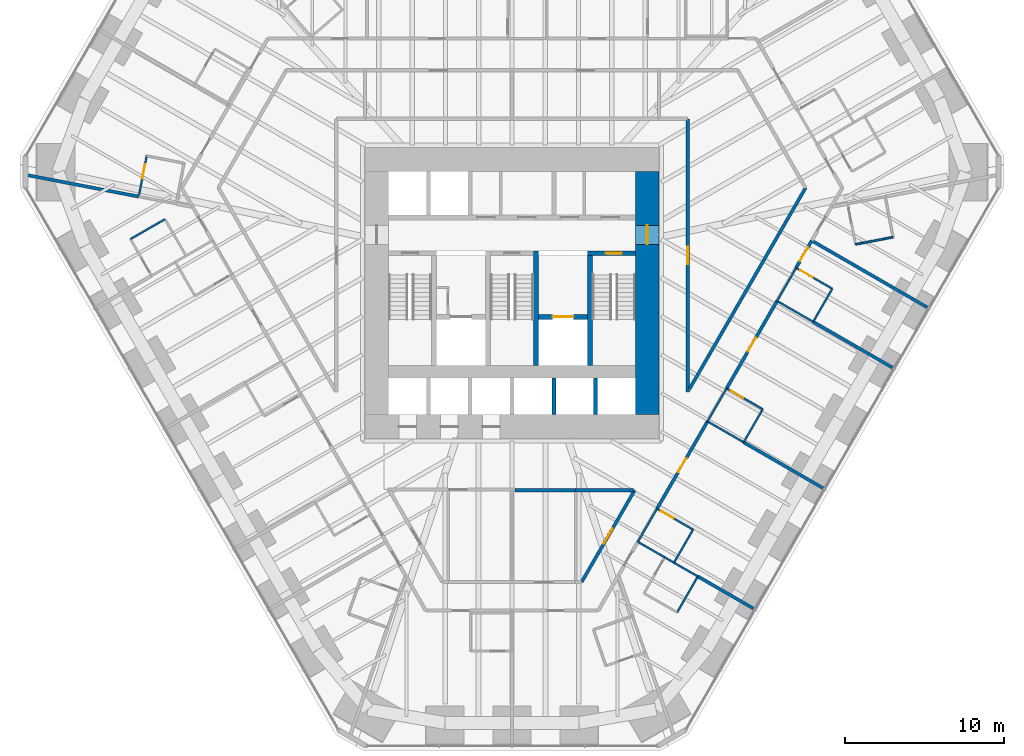
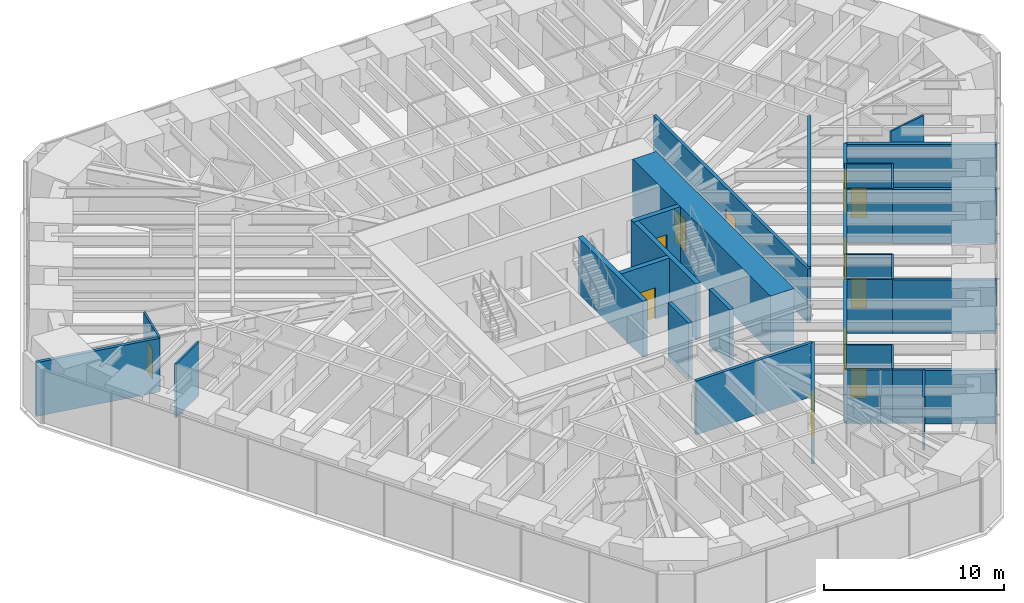
# One storey, part 13 of 17: 38 walls, 12 doors, 12 openings.
"""IFC4 building model written with IfcOpenShell, lengths in metres."""

from ifc_helpers import new_model, si_unit, direction, frame, frame_2d, origin, place, context, subcontext, project, spatial, rectangle, extrude, material, layer, layer_set, type_object, element, fill, save


model = new_model("IFC4")

# Units and contexts
model_context = context("Model", 3, precision=1e-05, world=origin(), true_north=direction((0.0, 1.0)))
body_context = subcontext(model_context, "Body", "Model", "MODEL_VIEW")
ifc_project = project(units=[si_unit("LENGTHUNIT", "METRE"), si_unit("AREAUNIT", "SQUARE_METRE"), si_unit("VOLUMEUNIT", "CUBIC_METRE"), si_unit("PLANEANGLEUNIT", "RADIAN"), si_unit("MASSUNIT", "GRAM", prefix="KILO")], contexts=[model_context])

# Site, building, storey
site_placement = place(None, origin())
site = spatial("IfcSite", under=ifc_project, at=site_placement, CompositionType="ELEMENT")
building_placement = place(site_placement, origin())
building = spatial("IfcBuilding", under=site, at=building_placement, Name="Sandreach Pilgrim Tower", CompositionType="ELEMENT")
storey_placement = place(building_placement, frame((0.0, 0.0, 57.199951171875)))
storey = spatial("IfcBuildingStorey", under=building, at=storey_placement, Name="L13", CompositionType="ELEMENT", Elevation=57.199951171875)

# Wall, opening, door
ifc_material_1 = material(Name="Moisture-resistant gypsum board on steel studs", Category="steel")
ifc_layer_1 = layer(ifc_material_1, 0.1201171875)
ifc_layer_set_1 = layer_set([ifc_layer_1], Name="Bathroom partition 120")
wall_type_1 = type_object("IfcWallType", Name="Bathroom partition 120", PredefinedType="PARTITIONING", material=ifc_layer_set_1)
wall_1_placement = place(storey_placement, frame((-22.9599609375, 7.070068359375, 0.0), z_axis=(0.0, 0.0, 1.0), x_axis=(-0.191686286181, -0.981456248485, 0.0)))
wall_1 = element("IfcWall", 1, at=wall_1_placement, inside=storey, type_object=wall_type_1, Name="Bathroom partition L13-006", PredefinedType="PARTITIONING", context=body_context, shape_type="SweptSolid", body=[
    extrude(rectangle(XDim=2.6083984375, YDim=0.1201171875, at=frame_2d((1.30419921875, 0.0))), origin(), (0.0, 0.0, 1.0), 3.64013671875),
])
opening_1_placement = place(wall_1_placement, frame((0.550048828125, 0.0, 0.0)))
opening_1 = element("IfcOpeningElement", 2, at=opening_1_placement, cuts=wall_1, Name="Opening D09-19B", PredefinedType="OPENING", context=body_context, shape_type="SweptSolid", body=[
    extrude(rectangle(XDim=0.89990234375, YDim=2.030029296875, at=frame_2d((0.449951171875, 1.01513671875))), frame((0.0, 0.06005859375, 0.0), z_axis=(0.0, -1.0, 0.0), x_axis=(1.0, 0.0, 0.0)), (0.0, 0.0, 1.0), 0.1201171875),
])
ifc_material_2 = material(Name="Timber door, steel frame", Category="steel")
door_type_1 = type_object("IfcDoorType", Name="Bathroom door", OperationType="SINGLE_SWING_LEFT", PredefinedType="DOOR", material=ifc_material_2)
door_1_placement = place(opening_1_placement, origin())
door_1 = element("IfcDoor", 3, at=door_1_placement, inside=storey, type_object=door_type_1, Name="Door 1319B", OperationType="SINGLE_SWING_LEFT", OverallHeight=2.030029296875, OverallWidth=0.89990234375, PredefinedType="DOOR", context=body_context, shape_type="SweptSolid", body=[
    extrude(rectangle(XDim=0.89990234375, YDim=2.030029296875, at=frame_2d((0.449951171875, 1.01513671875))), frame((0.0, 0.02490234375, 0.0), z_axis=(0.0, -1.0, 0.0), x_axis=(1.0, 0.0, 0.0)), (0.0, 0.0, 1.0), 0.050048828125),
])
fill(opening_1, door_1)

# Walls
wall_2_placement = place(storey_placement, frame((-21.81005859375, 3.090087890625, 0.0), z_axis=(0.0, 0.0, 1.0), x_axis=(-0.866510016372, -0.499159685399, 0.0)))
element("IfcWall", 4, at=wall_2_placement, inside=storey, type_object=wall_type_1, Name="Bathroom partition L13-008", PredefinedType="PARTITIONING", context=body_context, shape_type="SweptSolid", body=[
    extrude(rectangle(XDim=2.504150390625, YDim=0.1201171875, at=frame_2d((1.251953125, 0.0))), origin(), (0.0, 0.0, 1.0), 3.64013671875),
])
wall_3_placement = place(storey_placement, frame((7.909912109375, -17.18994140625, 0.0), z_axis=(0.0, 0.0, 1.0), x_axis=(0.499737123639, 0.866177122335, 0.0)))
element("IfcWall", 5, at=wall_3_placement, inside=storey, type_object=wall_type_1, Name="Bathroom partition L13-100", PredefinedType="PARTITIONING", context=body_context, shape_type="SweptSolid", body=[
    extrude(rectangle(XDim=2.401123046875, YDim=0.1201171875, at=frame_2d((1.20068359375, 0.0))), origin(), (0.0, 0.0, 1.0), 3.64013671875),
])
wall_4_placement = place(storey_placement, frame((7.909912109375, -17.18994140625, 0.0), z_axis=(0.0, 0.0, 1.0), x_axis=(0.8673242112, -0.497743621421, 0.0)))
element("IfcWall", 6, at=wall_4_placement, inside=storey, type_object=wall_type_1, Name="Bathroom partition L13-101", PredefinedType="PARTITIONING", context=body_context, shape_type="SweptSolid", body=[
    extrude(rectangle(XDim=1.94873046875, YDim=0.1201171875, at=frame_2d((0.974365234375, 0.0))), origin(), (0.0, 0.0, 1.0), 3.64013671875),
])
wall_5_placement = place(storey_placement, frame((9.60009765625, -18.159912109375, 0.0), z_axis=(0.0, 0.0, 1.0), x_axis=(0.862577739272, -0.505924543497, 0.0)))
element("IfcWall", 7, at=wall_5_placement, inside=storey, type_object=wall_type_1, Name="Bathroom partition L13-111", PredefinedType="PARTITIONING", context=body_context, shape_type="SweptSolid", body=[
    extrude(rectangle(XDim=0.672119140625, YDim=0.1201171875, at=frame_2d((0.3359375, 0.0))), origin(), (0.0, 0.0, 1.0), 3.64013671875),
])
wall_6_placement = place(storey_placement, frame((10.179931640625, -18.5, 0.0), z_axis=(0.0, 0.0, 1.0), x_axis=(0.499693115345, 0.866202511239, 0.0)))
element("IfcWall", 8, at=wall_6_placement, inside=storey, type_object=wall_type_1, Name="Bathroom partition L13-112", PredefinedType="PARTITIONING", context=body_context, shape_type="SweptSolid", body=[
    extrude(rectangle(XDim=2.4013671875, YDim=0.1201171875, at=frame_2d((1.20068359375, 0.0))), origin(), (0.0, 0.0, 1.0), 3.64013671875),
])
wall_7_placement = place(storey_placement, frame((10.179931640625, -18.5, 0.0), z_axis=(0.0, 0.0, 1.0), x_axis=(0.867564547129, -0.497324598794, 0.0)))
element("IfcWall", 9, at=wall_7_placement, inside=storey, type_object=wall_type_1, Name="Bathroom partition L13-113", PredefinedType="PARTITIONING", context=body_context, shape_type="SweptSolid", body=[
    extrude(rectangle(XDim=1.72900390625, YDim=0.1201171875, at=frame_2d((0.864501953125, 0.0))), origin(), (0.0, 0.0, 1.0), 3.64013671875),
])
wall_8_placement = place(storey_placement, frame((10.3798828125, -21.6201171875, 0.0), z_axis=(0.0, 0.0, 1.0), x_axis=(0.498627694264, 0.866816256489, 0.0)))
element("IfcWall", 10, at=wall_8_placement, inside=storey, type_object=wall_type_1, Name="Bathroom partition L13-114", PredefinedType="PARTITIONING", context=body_context, shape_type="SweptSolid", body=[
    extrude(rectangle(XDim=2.607177734375, YDim=0.1201171875, at=frame_2d((1.3037109375, 0.0))), origin(), (0.0, 0.0, 1.0), 3.64013671875),
])

# Wall, opening, door
wall_9_placement = place(storey_placement, frame((11.3798828125, -16.419921875, 0.0), z_axis=(0.0, 0.0, 1.0), x_axis=(-0.866154567199, 0.49977621564, 0.0)))
wall_9 = element("IfcWall", 11, at=wall_9_placement, inside=storey, type_object=wall_type_1, Name="Bathroom partition L13-123", PredefinedType="PARTITIONING", context=body_context, shape_type="SweptSolid", body=[
    extrude(rectangle(XDim=2.620849609375, YDim=0.1201171875, at=frame_2d((1.310546875, 0.0))), origin(), (0.0, 0.0, 1.0), 3.64013671875),
])
opening_2_placement = place(wall_9_placement, frame((1.4208984375, 0.0, 0.0)))
opening_2 = element("IfcOpeningElement", 12, at=opening_2_placement, cuts=wall_9, Name="Opening D09-10B", PredefinedType="OPENING", context=body_context, shape_type="SweptSolid", body=[
    extrude(rectangle(XDim=0.89990234375, YDim=2.030029296875, at=frame_2d((0.449951171875, 1.01513671875))), frame((0.0, 0.06005859375, 0.0), z_axis=(0.0, -1.0, 0.0), x_axis=(1.0, 0.0, 0.0)), (0.0, 0.0, 1.0), 0.1201171875),
])
door_2_placement = place(opening_2_placement, origin())
door_2 = element("IfcDoor", 13, at=door_2_placement, inside=storey, type_object=door_type_1, Name="Door 1310B", OperationType="SINGLE_SWING_RIGHT", OverallHeight=2.030029296875, OverallWidth=0.89990234375, PredefinedType="DOOR", context=body_context, shape_type="SweptSolid", body=[
    extrude(rectangle(XDim=0.89990234375, YDim=2.030029296875, at=frame_2d((0.449951171875, 1.01513671875))), frame((0.0, 0.02490234375, 0.0), z_axis=(0.0, -1.0, 0.0), x_axis=(1.0, 0.0, 0.0)), (0.0, 0.0, 1.0), 0.050048828125),
])
fill(opening_2, door_2)

# Walls
wall_10_placement = place(storey_placement, frame((12.2900390625, -9.6201171875, 0.0), z_axis=(0.0, 0.0, 1.0), x_axis=(0.499693115345, 0.866202511239, 0.0)))
element("IfcWall", 14, at=wall_10_placement, inside=storey, type_object=wall_type_1, Name="Bathroom partition L13-125", PredefinedType="PARTITIONING", context=body_context, shape_type="SweptSolid", body=[
    extrude(rectangle(XDim=2.4013671875, YDim=0.1201171875, at=frame_2d((1.20068359375, 0.0))), origin(), (0.0, 0.0, 1.0), 3.64013671875),
])
wall_11_placement = place(storey_placement, frame((12.2900390625, -9.6201171875, 0.0), z_axis=(0.0, 0.0, 1.0), x_axis=(0.865987003449, -0.500066505434, 0.0)))
element("IfcWall", 15, at=wall_11_placement, inside=storey, type_object=wall_type_1, Name="Bathroom partition L13-126", PredefinedType="PARTITIONING", context=body_context, shape_type="SweptSolid", body=[
    extrude(rectangle(XDim=2.620849609375, YDim=0.1201171875, at=frame_2d((1.310546875, 0.0))), origin(), (0.0, 0.0, 1.0), 3.64013671875),
])
wall_12_placement = place(storey_placement, frame((14.56005859375, -10.929931640625, 0.0), z_axis=(0.0, 0.0, 1.0), x_axis=(0.499737123639, 0.866177122335, 0.0)))
element("IfcWall", 16, at=wall_12_placement, inside=storey, type_object=wall_type_1, Name="Bathroom partition L13-132", PredefinedType="PARTITIONING", context=body_context, shape_type="SweptSolid", body=[
    extrude(rectangle(XDim=2.401123046875, YDim=0.1201171875, at=frame_2d((1.20068359375, 0.0))), origin(), (0.0, 0.0, 1.0), 3.64013671875),
])

# Wall, opening, door
wall_13_placement = place(storey_placement, frame((15.760009765625, -8.85009765625, 0.0), z_axis=(0.0, 0.0, 1.0), x_axis=(-0.866114241029, 0.499846097802, 0.0)))
wall_13 = element("IfcWall", 17, at=wall_13_placement, inside=storey, type_object=wall_type_1, Name="Bathroom partition L13-136", PredefinedType="PARTITIONING", context=body_context, shape_type="SweptSolid", body=[
    extrude(rectangle(XDim=2.620849609375, YDim=0.1201171875, at=frame_2d((1.310546875, 0.0))), origin(), (0.0, 0.0, 1.0), 3.64013671875),
])
opening_3_placement = place(wall_13_placement, frame((1.4208984375, 0.0, 0.0)))
opening_3 = element("IfcOpeningElement", 18, at=opening_3_placement, cuts=wall_13, Name="Opening D09-09B", PredefinedType="OPENING", context=body_context, shape_type="SweptSolid", body=[
    extrude(rectangle(XDim=0.89990234375, YDim=2.030029296875, at=frame_2d((0.449951171875, 1.01513671875))), frame((0.0, 0.06005859375, 0.0), z_axis=(0.0, -1.0, 0.0), x_axis=(1.0, 0.0, 0.0)), (0.0, 0.0, 1.0), 0.1201171875),
])
door_3_placement = place(opening_3_placement, origin())
door_3 = element("IfcDoor", 19, at=door_3_placement, inside=storey, type_object=door_type_1, Name="Door 1309B", OperationType="SINGLE_SWING_RIGHT", OverallHeight=2.030029296875, OverallWidth=0.89990234375, PredefinedType="DOOR", context=body_context, shape_type="SweptSolid", body=[
    extrude(rectangle(XDim=0.89990234375, YDim=2.030029296875, at=frame_2d((0.449951171875, 1.01513671875))), frame((0.0, 0.02490234375, 0.0), z_axis=(0.0, -1.0, 0.0), x_axis=(1.0, 0.0, 0.0)), (0.0, 0.0, 1.0), 0.050048828125),
])
fill(opening_3, door_3)

# Walls
wall_14_placement = place(storey_placement, frame((16.659912109375, -2.050048828125, 0.0), z_axis=(0.0, 0.0, 1.0), x_axis=(0.499693115345, 0.866202511239, 0.0)))
element("IfcWall", 20, at=wall_14_placement, inside=storey, type_object=wall_type_1, Name="Bathroom partition L13-137", PredefinedType="PARTITIONING", context=body_context, shape_type="SweptSolid", body=[
    extrude(rectangle(XDim=2.4013671875, YDim=0.1201171875, at=frame_2d((1.20068359375, 0.0))), origin(), (0.0, 0.0, 1.0), 3.64013671875),
])
wall_15_placement = place(storey_placement, frame((16.659912109375, -2.050048828125, 0.0), z_axis=(0.0, 0.0, 1.0), x_axis=(0.866010296064, -0.500026166427, 0.0)))
element("IfcWall", 21, at=wall_15_placement, inside=storey, type_object=wall_type_1, Name="Bathroom partition L13-138", PredefinedType="PARTITIONING", context=body_context, shape_type="SweptSolid", body=[
    extrude(rectangle(XDim=2.620849609375, YDim=0.1201171875, at=frame_2d((1.310546875, 0.0))), origin(), (0.0, 0.0, 1.0), 3.64013671875),
])
wall_16_placement = place(storey_placement, frame((18.929931640625, -3.360107421875, 0.0), z_axis=(0.0, 0.0, 1.0), x_axis=(0.499693115345, 0.866202511239, 0.0)))
element("IfcWall", 22, at=wall_16_placement, inside=storey, type_object=wall_type_1, Name="Bathroom partition L13-144", PredefinedType="PARTITIONING", context=body_context, shape_type="SweptSolid", body=[
    extrude(rectangle(XDim=2.4013671875, YDim=0.1201171875, at=frame_2d((1.20068359375, 0.0))), origin(), (0.0, 0.0, 1.0), 3.64013671875),
])

# Wall, opening, door
wall_17_placement = place(storey_placement, frame((20.1298828125, -1.280029296875, 0.0), z_axis=(0.0, 0.0, 1.0), x_axis=(-0.866114241029, 0.499846097802, 0.0)))
wall_17 = element("IfcWall", 23, at=wall_17_placement, inside=storey, type_object=wall_type_1, Name="Bathroom partition L13-150", PredefinedType="PARTITIONING", context=body_context, shape_type="SweptSolid", body=[
    extrude(rectangle(XDim=2.620849609375, YDim=0.1201171875, at=frame_2d((1.310546875, 0.0))), origin(), (0.0, 0.0, 1.0), 3.64013671875),
])
opening_4_placement = place(wall_17_placement, frame((1.4208984375, 0.0, 0.0)))
opening_4 = element("IfcOpeningElement", 24, at=opening_4_placement, cuts=wall_17, Name="Opening D09-08B", PredefinedType="OPENING", context=body_context, shape_type="SweptSolid", body=[
    extrude(rectangle(XDim=0.89990234375, YDim=2.030029296875, at=frame_2d((0.449951171875, 1.01513671875))), frame((0.0, 0.06005859375, 0.0), z_axis=(0.0, -1.0, 0.0), x_axis=(1.0, 0.0, 0.0)), (0.0, 0.0, 1.0), 0.1201171875),
])
door_4_placement = place(opening_4_placement, origin())
door_4 = element("IfcDoor", 25, at=door_4_placement, inside=storey, type_object=door_type_1, Name="Door 1308B", OperationType="SINGLE_SWING_RIGHT", OverallHeight=2.030029296875, OverallWidth=0.89990234375, PredefinedType="DOOR", context=body_context, shape_type="SweptSolid", body=[
    extrude(rectangle(XDim=0.89990234375, YDim=2.030029296875, at=frame_2d((0.449951171875, 1.01513671875))), frame((0.0, 0.02490234375, 0.0), z_axis=(0.0, -1.0, 0.0), x_axis=(1.0, 0.0, 0.0)), (0.0, 0.0, 1.0), 0.050048828125),
])
fill(opening_4, door_4)

# Walls
wall_18_placement = place(storey_placement, frame((21.590087890625, 1.510009765625, 0.0), z_axis=(0.0, 0.0, 1.0), x_axis=(0.982303859288, 0.187294228499, 0.0)))
element("IfcWall", 26, at=wall_18_placement, inside=storey, type_object=wall_type_1, Name="Bathroom partition L13-158", PredefinedType="PARTITIONING", context=body_context, shape_type="SweptSolid", body=[
    extrude(rectangle(XDim=2.40234375, YDim=0.1201171875, at=frame_2d((1.201171875, 0.0))), origin(), (0.0, 0.0, 1.0), 3.64013671875),
])
ifc_material_3 = material(Name="Concrete 10000 psi", Category="concrete")
ifc_layer_2 = layer(ifc_material_3, 0.300048828125)
ifc_layer_set_2 = layer_set([ifc_layer_2], Name="Core inner wall 300")
wall_type_2 = type_object("IfcWallType", Name="Core inner wall 300", PredefinedType="SHEAR", material=ifc_layer_set_2)
for number, where, z_axis, x_axis, name in (
    (27, (1.5, -6.10009765625, 0.0), (0.0, 0.0, 1.0), (0.0, 1.0, 0.0), "Core wall I2 L13"),
    (28, (4.89990234375, -6.10009765625, 0.0), (0.0, 0.0, 1.0), (0.0, 1.0, 0.0), "Core wall I3 L13"),
):
    element("IfcWall", number, at=place(storey_placement, frame(where, z_axis=z_axis, x_axis=x_axis)), inside=storey, type_object=wall_type_2, Name=name, PredefinedType="SHEAR", context=body_context, shape_type="SweptSolid", body=[
        extrude(rectangle(XDim=7.2001953125, YDim=0.300048828125, at=frame_2d((3.60009765625, 0.0))), origin(), (0.0, 0.0, 1.0), 3.800048828125),
    ])

# Wall, opening, door
wall_19_placement = place(storey_placement, frame((4.75, 0.949951171875, 0.0), z_axis=(0.0, 0.0, 1.0), x_axis=(1.0, 0.0, 0.0)))
wall_19 = element("IfcWall", 29, at=wall_19_placement, inside=storey, type_object=wall_type_2, Name="Core wall SN2 L13", PredefinedType="SHEAR", context=body_context, shape_type="SweptSolid", body=[
    extrude(rectangle(XDim=3.0, YDim=0.300048828125, at=frame_2d((1.5, 0.0))), origin(), (0.0, 0.0, 1.0), 3.800048828125),
])
opening_5_placement = place(wall_19_placement, frame((1.14990234375, 0.0, 0.0)))
opening_5 = element("IfcOpeningElement", 30, at=opening_5_placement, cuts=wall_19, Name="Opening D10S-ST2", PredefinedType="OPENING", context=body_context, shape_type="SweptSolid", body=[
    extrude(rectangle(XDim=1.0, YDim=2.199951171875, at=frame_2d((0.5, 1.10009765625))), frame((0.0, 0.14990234375, 0.0), z_axis=(0.0, -1.0, 0.0), x_axis=(1.0, 0.0, 0.0)), (0.0, 0.0, 1.0), 0.300048828125),
])
ifc_material_4 = material(Name="Steel door and frame", Category="steel")
door_type_2 = type_object("IfcDoorType", Name="Stair door", OperationType="SINGLE_SWING_LEFT", PredefinedType="DOOR", material=ifc_material_4)
door_5_placement = place(opening_5_placement, origin())
door_5 = element("IfcDoor", 31, at=door_5_placement, inside=storey, type_object=door_type_2, Name="Stair door ST2 L13", OperationType="SINGLE_SWING_RIGHT", OverallHeight=2.199951171875, OverallWidth=1.0, PredefinedType="DOOR", context=body_context, shape_type="SweptSolid", body=[
    extrude(rectangle(XDim=1.0, YDim=2.199951171875, at=frame_2d((0.5, 1.10009765625))), frame((0.0, 0.02490234375, 0.0), z_axis=(0.0, -1.0, 0.0), x_axis=(1.0, 0.0, 0.0)), (0.0, 0.0, 1.0), 0.050048828125),
])
fill(opening_5, door_5)

wall_20_placement = place(storey_placement, frame((1.64990234375, -3.050048828125, 0.0), z_axis=(0.0, 0.0, 1.0), x_axis=(1.0, 0.0, 0.0)))
wall_20 = element("IfcWall", 32, at=wall_20_placement, inside=storey, type_object=wall_type_2, Name="Core wall FL2 L13", PredefinedType="SHEAR", context=body_context, shape_type="SweptSolid", body=[
    extrude(rectangle(XDim=3.10009765625, YDim=0.300048828125, at=frame_2d((1.550048828125, 0.0))), origin(), (0.0, 0.0, 1.0), 3.800048828125),
])
opening_6_placement = place(wall_20_placement, frame((0.89990234375, 0.0, 0.0)))
opening_6 = element("IfcOpeningElement", 33, at=opening_6_placement, cuts=wall_20, Name="Opening LD13", PredefinedType="OPENING", context=body_context, shape_type="SweptSolid", body=[
    extrude(rectangle(XDim=1.300048828125, YDim=2.10009765625, at=frame_2d((0.64990234375, 1.050048828125))), frame((0.0, 0.14990234375, 0.0), z_axis=(0.0, -1.0, 0.0), x_axis=(1.0, 0.0, 0.0)), (0.0, 0.0, 1.0), 0.300048828125),
])
ifc_material_5 = material(Name="Steel door and frame", Category="steel")
door_type_3 = type_object("IfcDoorType", Name="Fire service lift landing door", OperationType="DOUBLE_DOOR_SLIDING", PredefinedType="DOOR", material=ifc_material_5)
door_6_placement = place(opening_6_placement, origin())
door_6 = element("IfcDoor", 34, at=door_6_placement, inside=storey, type_object=door_type_3, Name="Lift landing door FS2 L13", OperationType="DOUBLE_DOOR_SLIDING", OverallHeight=2.10009765625, OverallWidth=1.300048828125, PredefinedType="DOOR", context=body_context, shape_type="SweptSolid", body=[
    extrude(rectangle(XDim=1.300048828125, YDim=2.10009765625, at=frame_2d((0.64990234375, 1.050048828125))), frame((0.0, 0.02490234375, 0.0), z_axis=(0.0, -1.0, 0.0), x_axis=(1.0, 0.0, 0.0)), (0.0, 0.0, 1.0), 0.050048828125),
])
fill(opening_6, door_6)

ifc_material_6 = material(Name="Concrete 10000 psi", Category="concrete")
ifc_layer_3 = layer(ifc_material_6, 1.5)
ifc_layer_set_3 = layer_set([ifc_layer_3], Name="Core wall 1500")
wall_type_3 = type_object("IfcWallType", Name="Core wall 1500", PredefinedType="SHEAR", material=ifc_layer_set_3)
wall_21_placement = place(storey_placement, frame((8.5, -9.199951171875, 0.0), z_axis=(0.0, 0.0, 1.0), x_axis=(0.0, 1.0, 0.0)))
wall_21 = element("IfcWall", 35, at=wall_21_placement, inside=storey, type_object=wall_type_3, Name="Core wall E L13", PredefinedType="SHEAR", context=body_context, shape_type="SweptSolid", body=[
    extrude(rectangle(XDim=15.300048828125, YDim=1.5, at=frame_2d((7.64990234375, 0.0))), origin(), (0.0, 0.0, 1.0), 3.800048828125),
])
opening_7_placement = place(wall_21_placement, frame((10.699951171875, 0.0, 0.0)))
opening_7 = element("IfcOpeningElement", 36, at=opening_7_placement, cuts=wall_21, Name="Opening D12F-E", PredefinedType="OPENING", context=body_context, shape_type="SweptSolid", body=[
    extrude(rectangle(XDim=1.199951171875, YDim=2.199951171875, at=frame_2d((0.60009765625, 1.10009765625))), frame((0.0, 0.75, 0.0), z_axis=(0.0, -1.0, 0.0), x_axis=(1.0, 0.0, 0.0)), (0.0, 0.0, 1.0), 1.5),
])
ifc_material_7 = material(Name="Steel door and frame", Category="steel")
door_type_4 = type_object("IfcDoorType", Name="Fire lobby door", OperationType="SINGLE_SWING_LEFT", PredefinedType="DOOR", material=ifc_material_7)
door_7_placement = place(opening_7_placement, origin())
door_7 = element("IfcDoor", 37, at=door_7_placement, inside=storey, type_object=door_type_4, Name="Fire service lobby door E L13", OperationType="SINGLE_SWING_RIGHT", OverallHeight=2.199951171875, OverallWidth=1.199951171875, PredefinedType="DOOR", context=body_context, shape_type="SweptSolid", body=[
    extrude(rectangle(XDim=1.199951171875, YDim=2.199951171875, at=frame_2d((0.60009765625, 1.10009765625))), frame((0.0, 0.02490234375, 0.0), z_axis=(0.0, -1.0, 0.0), x_axis=(1.0, 0.0, 0.0)), (0.0, 0.0, 1.0), 0.050048828125),
])
fill(opening_7, door_7)

# Walls
ifc_material_8 = material(Name="Gypsum board on steel studs, two layers each side", Category="steel")
ifc_layer_4 = layer(ifc_material_8, 0.199951171875)
ifc_layer_set_4 = layer_set([ifc_layer_4], Name="Corridor wall 200")
wall_type_4 = type_object("IfcWallType", Name="Corridor wall 200", PredefinedType="PARTITIONING", material=ifc_layer_set_4)
wall_22_placement = place(storey_placement, frame((0.179931640625, -13.949951171875, 0.0), z_axis=(0.0, 0.0, 1.0), x_axis=(1.0, 0.0, 0.0)))
element("IfcWall", 38, at=wall_22_placement, inside=storey, type_object=wall_type_4, Name="Corridor wall L13-082", PredefinedType="PARTITIONING", context=body_context, shape_type="SweptSolid", body=[
    extrude(rectangle(XDim=3.820068359375, YDim=0.199951171875, at=frame_2d((1.91015625, 0.0))), origin(), (0.0, 0.0, 1.0), 3.64013671875),
])
wall_23_placement = place(storey_placement, frame((4.0, -13.949951171875, 0.0), z_axis=(0.0, 0.0, 1.0), x_axis=(1.0, 0.0, 0.0)))
element("IfcWall", 39, at=wall_23_placement, inside=storey, type_object=wall_type_4, Name="Corridor wall L13-090", PredefinedType="PARTITIONING", context=body_context, shape_type="SweptSolid", body=[
    extrude(rectangle(XDim=3.635009765625, YDim=0.199951171875, at=frame_2d((1.8173828125, 0.0))), origin(), (0.0, 0.0, 1.0), 3.64013671875),
])

# Wall, opening, door
wall_24_placement = place(storey_placement, frame((7.7099609375, -13.949951171875, 0.0), z_axis=(0.0, 0.0, 1.0), x_axis=(-0.500511113963, -0.865730110831, 0.0)))
wall_24 = element("IfcWall", 40, at=wall_24_placement, inside=storey, type_object=wall_type_4, Name="Corridor wall L13-099", PredefinedType="PARTITIONING", context=body_context, shape_type="SweptSolid", body=[
    extrude(rectangle(XDim=6.6533203125, YDim=0.199951171875, at=frame_2d((3.32666015625, 0.0))), origin(), (0.0, 0.0, 1.0), 3.64013671875),
])
opening_8_placement = place(wall_24_placement, frame((2.776611328125, 0.0, 0.0)))
opening_8 = element("IfcOpeningElement", 41, at=opening_8_placement, cuts=wall_24, Name="Opening D11H-S4", PredefinedType="OPENING", context=body_context, shape_type="SweptSolid", body=[
    extrude(rectangle(XDim=1.10009765625, YDim=2.199951171875, at=frame_2d((0.550048828125, 1.10009765625))), frame((0.0, 0.10009765625, 0.0), z_axis=(0.0, -1.0, 0.0), x_axis=(1.0, 0.0, 0.0)), (0.0, 0.0, 1.0), 0.199951171875),
])
ifc_material_9 = material(Name="Steel door and frame", Category="steel")
door_type_5 = type_object("IfcDoorType", Name="Back of house door", OperationType="SINGLE_SWING_LEFT", PredefinedType="DOOR", material=ifc_material_9)
door_8_placement = place(opening_8_placement, origin())
door_8 = element("IfcDoor", 42, at=door_8_placement, inside=storey, type_object=door_type_5, Name="Door 13S4", OperationType="SINGLE_SWING_LEFT", OverallHeight=2.199951171875, OverallWidth=1.10009765625, PredefinedType="DOOR", context=body_context, shape_type="SweptSolid", body=[
    extrude(rectangle(XDim=1.10009765625, YDim=2.199951171875, at=frame_2d((0.550048828125, 1.10009765625))), frame((0.0, 0.02490234375, 0.0), z_axis=(0.0, -1.0, 0.0), x_axis=(1.0, 0.0, 0.0)), (0.0, 0.0, 1.0), 0.050048828125),
])
fill(opening_8, door_8)

wall_25_placement = place(storey_placement, frame((9.110107421875, -15.110107421875, 0.0), z_axis=(0.0, 0.0, 1.0), x_axis=(0.50119856319, 0.865332306259, 0.0)))
wall_25 = element("IfcWall", 43, at=wall_25_placement, inside=storey, type_object=wall_type_4, Name="Corridor wall L13-106", PredefinedType="PARTITIONING", context=body_context, shape_type="SweptSolid", body=[
    extrude(rectangle(XDim=6.3447265625, YDim=0.199951171875, at=frame_2d((3.17236328125, 0.0))), origin(), (0.0, 0.0, 1.0), 3.64013671875),
])
opening_9_placement = place(wall_25_placement, frame((2.67236328125, 0.0, 0.0)))
opening_9 = element("IfcOpeningElement", 44, at=opening_9_placement, cuts=wall_25, Name="Opening D10-10", PredefinedType="OPENING", context=body_context, shape_type="SweptSolid", body=[
    extrude(rectangle(XDim=1.0, YDim=2.1298828125, at=frame_2d((0.5, 1.06494140625))), frame((0.0, 0.10009765625, 0.0), z_axis=(0.0, -1.0, 0.0), x_axis=(1.0, 0.0, 0.0)), (0.0, 0.0, 1.0), 0.199951171875),
])
ifc_material_10 = material(Name="Steel door and frame", Category="steel")
door_type_6 = type_object("IfcDoorType", Name="Guest room entry door", OperationType="SINGLE_SWING_LEFT", PredefinedType="DOOR", material=ifc_material_10)
door_9_placement = place(opening_9_placement, origin())
door_9 = element("IfcDoor", 45, at=door_9_placement, inside=storey, type_object=door_type_6, Name="Door 1310", OperationType="SINGLE_SWING_LEFT", OverallHeight=2.1298828125, OverallWidth=1.0, PredefinedType="DOOR", context=body_context, shape_type="SweptSolid", body=[
    extrude(rectangle(XDim=1.0, YDim=2.1298828125, at=frame_2d((0.5, 1.06494140625))), frame((0.0, 0.02490234375, 0.0), z_axis=(0.0, -1.0, 0.0), x_axis=(1.0, 0.0, 0.0)), (0.0, 0.0, 1.0), 0.050048828125),
])
fill(opening_9, door_9)

wall_26_placement = place(storey_placement, frame((11.050048828125, -7.760009765625, 0.0), z_axis=(0.0, 0.0, 1.0), x_axis=(0.0, 1.0, 0.0)))
wall_26 = element("IfcWall", 46, at=wall_26_placement, inside=storey, type_object=wall_type_4, Name="Corridor wall L13-122", PredefinedType="PARTITIONING", context=body_context, shape_type="SweptSolid", body=[
    extrude(rectangle(XDim=17.159912109375, YDim=0.199951171875, at=frame_2d((8.580078125, 0.0))), origin(), (0.0, 0.0, 1.0), 3.64013671875),
])
opening_10_placement = place(wall_26_placement, frame((8.030029296875, 0.0, 0.0)))
opening_10 = element("IfcOpeningElement", 47, at=opening_10_placement, cuts=wall_26, Name="Opening D11H-M04", PredefinedType="OPENING", context=body_context, shape_type="SweptSolid", body=[
    extrude(rectangle(XDim=1.10009765625, YDim=2.199951171875, at=frame_2d((0.550048828125, 1.10009765625))), frame((0.0, 0.10009765625, 0.0), z_axis=(0.0, -1.0, 0.0), x_axis=(1.0, 0.0, 0.0)), (0.0, 0.0, 1.0), 0.199951171875),
])
door_10_placement = place(opening_10_placement, origin())
door_10 = element("IfcDoor", 48, at=door_10_placement, inside=storey, type_object=door_type_5, Name="Door 13M04", OperationType="SINGLE_SWING_LEFT", OverallHeight=2.199951171875, OverallWidth=1.10009765625, PredefinedType="DOOR", context=body_context, shape_type="SweptSolid", body=[
    extrude(rectangle(XDim=1.10009765625, YDim=2.199951171875, at=frame_2d((0.550048828125, 1.10009765625))), frame((0.0, 0.02490234375, 0.0), z_axis=(0.0, -1.0, 0.0), x_axis=(1.0, 0.0, 0.0)), (0.0, 0.0, 1.0), 0.050048828125),
])
fill(opening_10, door_10)

wall_27_placement = place(storey_placement, frame((13.489990234375, -7.5400390625, 0.0), z_axis=(0.0, 0.0, 1.0), x_axis=(0.500032479136, 0.866006651134, 0.0)))
wall_27 = element("IfcWall", 49, at=wall_27_placement, inside=storey, type_object=wall_type_4, Name="Corridor wall L13-127", PredefinedType="PARTITIONING", context=body_context, shape_type="SweptSolid", body=[
    extrude(rectangle(XDim=6.33935546875, YDim=0.199951171875, at=frame_2d((3.169677734375, 0.0))), origin(), (0.0, 0.0, 1.0), 3.64013671875),
])
opening_11_placement = place(wall_27_placement, frame((2.669921875, 0.0, 0.0)))
opening_11 = element("IfcOpeningElement", 50, at=opening_11_placement, cuts=wall_27, Name="Opening D10-09", PredefinedType="OPENING", context=body_context, shape_type="SweptSolid", body=[
    extrude(rectangle(XDim=1.0, YDim=2.1298828125, at=frame_2d((0.5, 1.06494140625))), frame((0.0, 0.10009765625, 0.0), z_axis=(0.0, -1.0, 0.0), x_axis=(1.0, 0.0, 0.0)), (0.0, 0.0, 1.0), 0.199951171875),
])
door_11_placement = place(opening_11_placement, origin())
door_11 = element("IfcDoor", 51, at=door_11_placement, inside=storey, type_object=door_type_6, Name="Door 1309", OperationType="SINGLE_SWING_LEFT", OverallHeight=2.1298828125, OverallWidth=1.0, PredefinedType="DOOR", context=body_context, shape_type="SweptSolid", body=[
    extrude(rectangle(XDim=1.0, YDim=2.1298828125, at=frame_2d((0.5, 1.06494140625))), frame((0.0, 0.02490234375, 0.0), z_axis=(0.0, -1.0, 0.0), x_axis=(1.0, 0.0, 0.0)), (0.0, 0.0, 1.0), 0.050048828125),
])
fill(opening_11, door_11)

wall_28_placement = place(storey_placement, frame((17.85400390625, 0.033447265625, 0.0), z_axis=(0.0, 0.0, 1.0), x_axis=(0.500308553443, 0.865847187067, 0.0)))
wall_28 = element("IfcWall", 52, at=wall_28_placement, inside=storey, type_object=wall_type_4, Name="Corridor wall L13-139", PredefinedType="PARTITIONING", context=body_context, shape_type="SweptSolid", body=[
    extrude(rectangle(XDim=1.970947265625, YDim=0.199951171875, at=frame_2d((0.9853515625, 0.0))), origin(), (0.0, 0.0, 1.0), 3.64013671875),
])
opening_12_placement = place(wall_28_placement, frame((0.4853515625, 0.0, 0.0)))
opening_12 = element("IfcOpeningElement", 53, at=opening_12_placement, cuts=wall_28, Name="Opening D10-08", PredefinedType="OPENING", context=body_context, shape_type="SweptSolid", body=[
    extrude(rectangle(XDim=1.0, YDim=2.1298828125, at=frame_2d((0.5, 1.06494140625))), frame((0.0, 0.10009765625, 0.0), z_axis=(0.0, -1.0, 0.0), x_axis=(1.0, 0.0, 0.0)), (0.0, 0.0, 1.0), 0.199951171875),
])
door_12_placement = place(opening_12_placement, origin())
door_12 = element("IfcDoor", 54, at=door_12_placement, inside=storey, type_object=door_type_6, Name="Door 1308", OperationType="SINGLE_SWING_LEFT", OverallHeight=2.1298828125, OverallWidth=1.0, PredefinedType="DOOR", context=body_context, shape_type="SweptSolid", body=[
    extrude(rectangle(XDim=1.0, YDim=2.1298828125, at=frame_2d((0.5, 1.06494140625))), frame((0.0, 0.02490234375, 0.0), z_axis=(0.0, -1.0, 0.0), x_axis=(1.0, 0.0, 0.0)), (0.0, 0.0, 1.0), 0.050048828125),
])
fill(opening_12, door_12)

# Walls
wall_29_placement = place(storey_placement, frame((18.449951171875, 5.06005859375, 0.0), z_axis=(0.0, 0.0, 1.0), x_axis=(-0.499910730718, -0.866076937294, 0.0)))
element("IfcWall", 55, at=wall_29_placement, inside=storey, type_object=wall_type_4, Name="Corridor wall L13-141", PredefinedType="PARTITIONING", context=body_context, shape_type="SweptSolid", body=[
    extrude(rectangle(XDim=14.592529296875, YDim=0.199951171875, at=frame_2d((7.29638671875, 0.0))), origin(), (0.0, 0.0, 1.0), 3.64013671875),
])
ifc_material_11 = material(Name="Double steel stud acoustic wall, gypsum board", Category="steel")
ifc_layer_5 = layer(ifc_material_11, 0.199951171875)
ifc_layer_set_5 = layer_set([ifc_layer_5], Name="Party wall 200")
wall_type_5 = type_object("IfcWallType", Name="Party wall 200", PredefinedType="PARTITIONING", material=ifc_layer_set_5)
wall_30_placement = place(storey_placement, frame((-30.590576171875, 5.88427734375, 0.0), z_axis=(0.0, 0.0, 1.0), x_axis=(0.981929870864, -0.189245155035, 0.0)))
element("IfcWall", 56, at=wall_30_placement, inside=storey, type_object=wall_type_5, Name="Party wall L13-001", PredefinedType="PARTITIONING", context=body_context, shape_type="SweptSolid", body=[
    extrude(rectangle(XDim=7.26171875, YDim=0.199951171875, at=frame_2d((3.630859375, 0.0))), origin(), (0.0, 0.0, 1.0), 3.64013671875),
])
wall_31_placement = place(storey_placement, frame((11.679931640625, -19.360107421875, 0.0), z_axis=(0.0, 0.0, 1.0), x_axis=(0.865885444553, -0.500242338183, 0.0)))
element("IfcWall", 57, at=wall_31_placement, inside=storey, type_object=wall_type_5, Name="Party wall L13-124", PredefinedType="PARTITIONING", context=body_context, shape_type="SweptSolid", body=[
    extrude(rectangle(XDim=4.03759765625, YDim=0.199951171875, at=frame_2d((2.018798828125, 0.0))), origin(), (0.0, 0.0, 1.0), 3.64013671875),
])
wall_32_placement = place(storey_placement, frame((14.5595703125, -10.9306640625, 0.0), z_axis=(0.0, 0.0, 1.0), x_axis=(0.865995646508, -0.500051537573, 0.0)))
element("IfcWall", 58, at=wall_32_placement, inside=storey, type_object=wall_type_5, Name="Party wall L13-131", PredefinedType="PARTITIONING", context=body_context, shape_type="SweptSolid", body=[
    extrude(rectangle(XDim=5.75830078125, YDim=0.199951171875, at=frame_2d((2.879150390625, 0.0))), origin(), (0.0, 0.0, 1.0), 3.64013671875),
])
wall_33_placement = place(storey_placement, frame((18.9296875, -3.360595703125, 0.0), z_axis=(0.0, 0.0, 1.0), x_axis=(0.865985044037, -0.500069898618, 0.0)))
element("IfcWall", 59, at=wall_33_placement, inside=storey, type_object=wall_type_5, Name="Party wall L13-143", PredefinedType="PARTITIONING", context=body_context, shape_type="SweptSolid", body=[
    extrude(rectangle(XDim=5.758056640625, YDim=0.199951171875, at=frame_2d((2.87890625, 0.0))), origin(), (0.0, 0.0, 1.0), 3.64013671875),
])
wall_34_placement = place(storey_placement, frame((26.09619140625, -2.449951171875, 0.0), z_axis=(0.0, 0.0, 1.0), x_axis=(-0.865997946826, 0.500047553832, 0.0)))
element("IfcWall", 60, at=wall_34_placement, inside=storey, type_object=wall_type_5, Name="Party wall L13-164", PredefinedType="PARTITIONING", context=body_context, shape_type="SweptSolid", body=[
    extrude(rectangle(XDim=8.364013671875, YDim=0.199951171875, at=frame_2d((4.18212890625, 0.0))), origin(), (0.0, 0.0, 1.0), 3.64013671875),
])
ifc_material_12 = material(Name="Gypsum shaft wall on steel studs, two layers of shaft liner board", Category="steel")
ifc_layer_6 = layer(ifc_material_12, 0.25)
ifc_layer_set_6 = layer_set([ifc_layer_6], Name="Shaft partition 250")
wall_type_6 = type_object("IfcWallType", Name="Shaft partition 250", PredefinedType="PARTITIONING", material=ifc_layer_set_6)
for number, where, z_axis, x_axis, name in (
    (61, (2.625, -9.199951171875, 0.0), (0.0, 0.0, 1.0), (0.0, 1.0, 0.0), "Shaft partition XS3 L13"),
    (62, (5.25, -9.199951171875, 0.0), (0.0, 0.0, 1.0), (0.0, 1.0, 0.0), "Shaft partition XS4 L13"),
):
    element("IfcWall", number, at=place(storey_placement, frame(where, z_axis=z_axis, x_axis=x_axis)), inside=storey, type_object=wall_type_6, Name=name, PredefinedType="PARTITIONING", context=body_context, shape_type="SweptSolid", body=[
        extrude(rectangle(XDim=2.300048828125, YDim=0.25, at=frame_2d((1.14990234375, 0.0))), origin(), (0.0, 0.0, 1.0), 3.800048828125),
    ])

save(model, "model.ifc")
